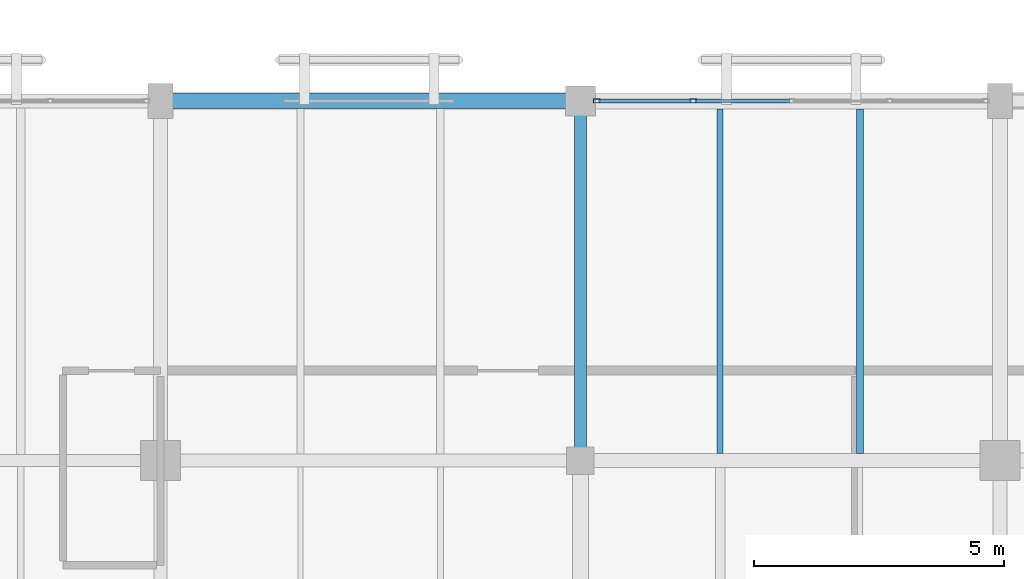
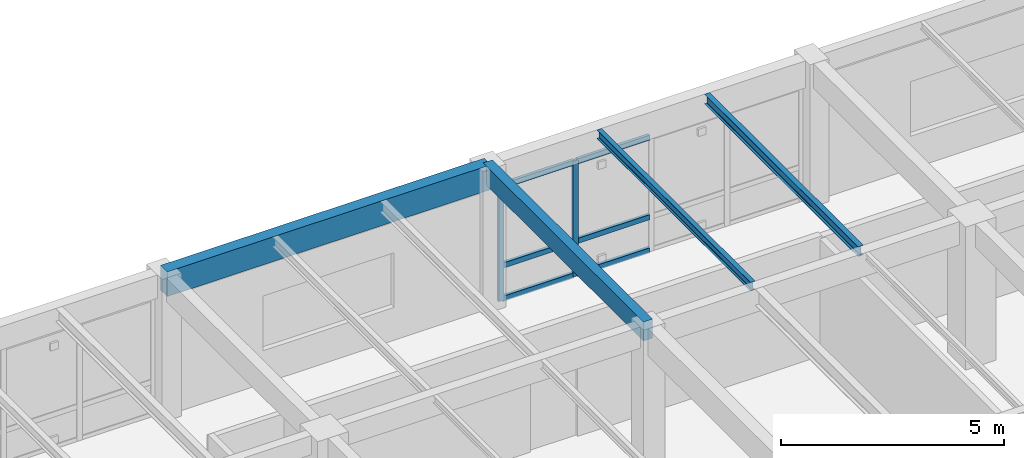
# One storey, part 53 of 170: 8 members, 4 beams, 1 element without a shape of its own.
"""IFC4 building model written with IfcOpenShell, lengths in metres."""

from ifc_helpers import new_model, si_unit, direction, frame, origin, origin_2d, place, context, subcontext, project, spatial, rectangle, hollow_rectangle, i_section, extrude, material, layer, layer_set, material_profile, profile_set, type_object, element, aggregate, save


model = new_model("IFC4")

# Units and contexts
model_context = context("Model", 3, precision=1e-05, world=origin(), true_north=direction((0.0, 1.0)))
body_context = subcontext(model_context, "Body", "Model", "MODEL_VIEW")
ifc_project = project(units=[si_unit("LENGTHUNIT", "METRE"), si_unit("AREAUNIT", "SQUARE_METRE"), si_unit("VOLUMEUNIT", "CUBIC_METRE"), si_unit("PLANEANGLEUNIT", "RADIAN"), si_unit("MASSUNIT", "GRAM", prefix="KILO")], contexts=[model_context])

# Site, building, storey
site_placement = place(None, origin())
site = spatial("IfcSite", under=ifc_project, at=site_placement, CompositionType="ELEMENT")
building_placement = place(site_placement, origin())
building = spatial("IfcBuilding", under=site, at=building_placement, Name="Mazaris Harbour Polytechnic", CompositionType="ELEMENT")
storey_placement = place(building_placement, frame((0.0, 0.0, 5.39990234375)))
storey = spatial("IfcBuildingStorey", under=building, at=storey_placement, Name="L01", CompositionType="ELEMENT", Elevation=5.39990234375)

# Curtain wall, members
ifc_material_1 = material(Name="Anodised Bronze Aluminium and Low-E Glass", Category="aluminium")
ifc_layer = layer(ifc_material_1, 0.159912109375, Name="Anodised Bronze Aluminium and Low-E Glass")
ifc_layer_set = layer_set([ifc_layer], Name="Anodised Bronze Aluminium and Low-E Glass")
curtain_wall_type = type_object("IfcCurtainWallType", Name="Cloister Court Curtain Wall", PredefinedType="NOTDEFINED", material=ifc_layer_set)
curtain_wall_placement = place(storey_placement, origin())
curtain_wall = element("IfcCurtainWall", 1, at=curtain_wall_placement, inside=storey, type_object=curtain_wall_type, Name="V3 L01 Curtain Wall 77", PredefinedType="NOTDEFINED")
ifc_material_2 = material(Name="Anodised Bronze Steel S355", Category="steel")
ifc_material_profile_1 = material_profile(ifc_material_2, hollow_rectangle(XDim=0.080078125, YDim=0.139892578125, WallThickness=0.00634765625, at=origin_2d()), Name="RHS 80x140x6.3")
ifc_profile_set_1 = profile_set([ifc_material_profile_1], Name="Anodised Bronze Steel S355")
member_type_1 = type_object("IfcMemberType", Name="Curtain Mullion RHS80x140", PredefinedType="MULLION", material=ifc_profile_set_1)
member_1_placement = place(storey_placement, frame((87.931884765625, 36.0, 0.0), z_axis=(0.0, 0.0, 1.0), x_axis=(0.0, 1.0, 0.0)))
member_1 = element("IfcMember", 2, at=member_1_placement, type_object=member_type_1, Name="CW-02 mullion 1", PredefinedType="MULLION", context=body_context, shape_type="SweptSolid", body=[
    extrude(hollow_rectangle(XDim=0.080078125, YDim=0.139892578125, WallThickness=0.00634765625, at=origin_2d()), origin(), (0.0, 0.0, 1.0), 3.170166015625),
])
member_2_placement = place(storey_placement, frame((89.8583984375, 36.0, 0.0), z_axis=(0.0, 0.0, 1.0), x_axis=(0.0, 1.0, 0.0)))
member_2 = element("IfcMember", 3, at=member_2_placement, type_object=member_type_1, Name="CW-02 mullion 2", PredefinedType="MULLION", context=body_context, shape_type="SweptSolid", body=[
    extrude(hollow_rectangle(XDim=0.080078125, YDim=0.139892578125, WallThickness=0.00634765625, at=origin_2d()), origin(), (0.0, 0.0, 1.0), 3.170166015625),
])
ifc_material_3 = material(Name="Anodised Bronze Steel S355", Category="steel")
ifc_material_profile_2 = material_profile(ifc_material_3, hollow_rectangle(XDim=0.080078125, YDim=0.139892578125, WallThickness=0.00634765625, at=origin_2d()), Name="RHS 80x140x6.3")
ifc_profile_set_2 = profile_set([ifc_material_profile_2], Name="Anodised Bronze Steel S355")
member_type_2 = type_object("IfcMemberType", Name="Curtain Transom RHS80x140", PredefinedType="USERDEFINED", material=ifc_profile_set_2)
member_3_placement = place(storey_placement, frame((87.971923828125, 36.0, 0.0400390625), z_axis=(1.0, 0.0, 0.0), x_axis=(0.0, 1.0, 0.0)))
member_3 = element("IfcMember", 4, at=member_3_placement, type_object=member_type_2, Name="CW-02 transom 1.1", ObjectType="TRANSOM", PredefinedType="USERDEFINED", context=body_context, shape_type="SweptSolid", body=[
    extrude(hollow_rectangle(XDim=0.080078125, YDim=0.139892578125, WallThickness=0.00634765625, at=origin_2d()), origin(), (0.0, 0.0, 1.0), 1.8466796875),
])
member_4_placement = place(storey_placement, frame((87.971923828125, 36.0, 0.9501953125), z_axis=(1.0, 0.0, 0.0), x_axis=(0.0, 1.0, 0.0)))
member_4 = element("IfcMember", 5, at=member_4_placement, type_object=member_type_2, Name="CW-02 transom 1.2", ObjectType="TRANSOM", PredefinedType="USERDEFINED", context=body_context, shape_type="SweptSolid", body=[
    extrude(hollow_rectangle(XDim=0.080078125, YDim=0.139892578125, WallThickness=0.00634765625, at=origin_2d()), origin(), (0.0, 0.0, 1.0), 1.8466796875),
])
member_5_placement = place(storey_placement, frame((87.971923828125, 36.0, 3.130126953125), z_axis=(1.0, 0.0, 0.0), x_axis=(0.0, 1.0, 0.0)))
member_5 = element("IfcMember", 6, at=member_5_placement, type_object=member_type_2, Name="CW-02 transom 1.3", ObjectType="TRANSOM", PredefinedType="USERDEFINED", context=body_context, shape_type="SweptSolid", body=[
    extrude(hollow_rectangle(XDim=0.080078125, YDim=0.139892578125, WallThickness=0.00634765625, at=origin_2d()), origin(), (0.0, 0.0, 1.0), 1.8466796875),
])
member_6_placement = place(storey_placement, frame((89.8984375, 36.0, 0.0400390625), z_axis=(1.0, 0.0, 0.0), x_axis=(0.0, 1.0, 0.0)))
member_6 = element("IfcMember", 7, at=member_6_placement, type_object=member_type_2, Name="CW-02 transom 2.1", ObjectType="TRANSOM", PredefinedType="USERDEFINED", context=body_context, shape_type="SweptSolid", body=[
    extrude(hollow_rectangle(XDim=0.080078125, YDim=0.139892578125, WallThickness=0.00634765625, at=origin_2d()), origin(), (0.0, 0.0, 1.0), 1.886474609375),
])
member_7_placement = place(storey_placement, frame((89.8984375, 36.0, 0.9501953125), z_axis=(1.0, 0.0, 0.0), x_axis=(0.0, 1.0, 0.0)))
member_7 = element("IfcMember", 8, at=member_7_placement, type_object=member_type_2, Name="CW-02 transom 2.2", ObjectType="TRANSOM", PredefinedType="USERDEFINED", context=body_context, shape_type="SweptSolid", body=[
    extrude(hollow_rectangle(XDim=0.080078125, YDim=0.139892578125, WallThickness=0.00634765625, at=origin_2d()), origin(), (0.0, 0.0, 1.0), 1.886474609375),
])
member_8_placement = place(storey_placement, frame((89.8984375, 36.0, 3.130126953125), z_axis=(1.0, 0.0, 0.0), x_axis=(0.0, 1.0, 0.0)))
member_8 = element("IfcMember", 9, at=member_8_placement, type_object=member_type_2, Name="CW-02 transom 2.3", ObjectType="TRANSOM", PredefinedType="USERDEFINED", context=body_context, shape_type="SweptSolid", body=[
    extrude(hollow_rectangle(XDim=0.080078125, YDim=0.139892578125, WallThickness=0.00634765625, at=origin_2d()), origin(), (0.0, 0.0, 1.0), 1.886474609375),
])
aggregate(curtain_wall, [member_1, member_2, member_3, member_4, member_5, member_6, member_7, member_8])

# Beams
ifc_material_4 = material(Name="Glulam GL32h", Category="wood")
ifc_material_profile_3 = material_profile(ifc_material_4, rectangle(XDim=0.239990234375, YDim=0.52001953125, at=origin_2d()), Name="RECT240x520")
ifc_profile_set_3 = profile_set([ifc_material_profile_3], Name="Glulam GL32h")
beam_type_1 = type_object("IfcBeamType", Name="Glulam Girder 240x520", PredefinedType="BEAM", material=ifc_profile_set_3)
beam_1_placement = place(storey_placement, frame((87.60009765625, 28.800048828125, 3.66015625), z_axis=(0.0, 1.0, 0.0), x_axis=(-1.0, 0.0, 0.0)))
element("IfcBeam", 10, at=beam_1_placement, inside=storey, type_object=beam_type_1, Name="V3 L01 Tie Girder 1010", PredefinedType="BEAM", context=body_context, shape_type="SweptSolid", body=[
    extrude(rectangle(XDim=0.239990234375, YDim=0.52001953125, at=origin_2d()), origin(), (0.0, 0.0, 1.0), 7.199951171875),
])
ifc_material_5 = material(Name="Glulam GL32h", Category="wood")
ifc_material_profile_4 = material_profile(ifc_material_5, rectangle(XDim=0.300048828125, YDim=0.679931640625, at=origin_2d()), Name="RECT300x680")
ifc_profile_set_4 = profile_set([ifc_material_profile_4], Name="Glulam GL32h")
beam_type_2 = type_object("IfcBeamType", Name="Glulam Girder 300x680 Exterior", PredefinedType="BEAM", material=ifc_profile_set_4)
beam_2_placement = place(storey_placement, frame((79.199951171875, 36.0, 3.580078125), z_axis=(1.0, 0.0, 0.0), x_axis=(0.0, 1.0, 0.0)))
element("IfcBeam", 11, at=beam_2_placement, inside=storey, type_object=beam_type_2, Name="V3 L01 Girder 993", PredefinedType="BEAM", context=body_context, shape_type="SweptSolid", body=[
    extrude(rectangle(XDim=0.300048828125, YDim=0.679931640625, at=origin_2d()), origin(), (0.0, 0.0, 1.0), 8.400146484375),
])
ifc_material_6 = material(Name="Steel S355", Category="steel")
ifc_material_profile_5 = material_profile(ifc_material_6, i_section(OverallWidth=0.1201171875, OverallDepth=0.239990234375, WebThickness=0.006103515625, FlangeThickness=0.009765625, FilletRadius=0.014892578125, at=origin_2d()), Name="IPE 240")
ifc_profile_set_5 = profile_set([ifc_material_profile_5], Name="Steel S355")
beam_type_3 = type_object("IfcBeamType", Name="Steel Joist IPE240", PredefinedType="JOIST", material=ifc_profile_set_5)
beam_3_placement = place(storey_placement, frame((90.39990234375, 28.93994140625, 3.800048828125), z_axis=(0.0, 1.0, 0.0), x_axis=(-1.0, 0.0, 0.0)))
element("IfcBeam", 12, at=beam_3_placement, inside=storey, type_object=beam_type_3, Name="V3 L01 Floor Joist 1044", PredefinedType="JOIST", context=body_context, shape_type="SweptSolid", body=[
    extrude(i_section(OverallWidth=0.1201171875, OverallDepth=0.239990234375, WebThickness=0.006103515625, FlangeThickness=0.009765625, FilletRadius=0.014892578125, at=origin_2d()), origin(), (0.0, 0.0, 1.0), 6.900146484375),
])
ifc_material_7 = material(Name="Steel S355", Category="steel")
ifc_material_profile_6 = material_profile(ifc_material_7, i_section(OverallWidth=0.135009765625, OverallDepth=0.27001953125, WebThickness=0.006591796875, FlangeThickness=0.01025390625, FilletRadius=0.014892578125, at=origin_2d()), Name="IPE 270")
ifc_profile_set_6 = profile_set([ifc_material_profile_6], Name="Steel S355")
beam_type_4 = type_object("IfcBeamType", Name="Steel Joist IPE270", PredefinedType="JOIST", material=ifc_profile_set_6)
beam_4_placement = place(storey_placement, frame((93.199951171875, 28.93994140625, 3.78515625), z_axis=(0.0, 1.0, 0.0), x_axis=(-1.0, 0.0, 0.0)))
element("IfcBeam", 13, at=beam_4_placement, inside=storey, type_object=beam_type_4, Name="V3 L01 Floor Joist 1045", PredefinedType="JOIST", context=body_context, shape_type="SweptSolid", body=[
    extrude(i_section(OverallWidth=0.135009765625, OverallDepth=0.27001953125, WebThickness=0.006591796875, FlangeThickness=0.01025390625, FilletRadius=0.014892578125, at=origin_2d()), origin(), (0.0, 0.0, 1.0), 6.900146484375),
])

save(model, "model.ifc")
